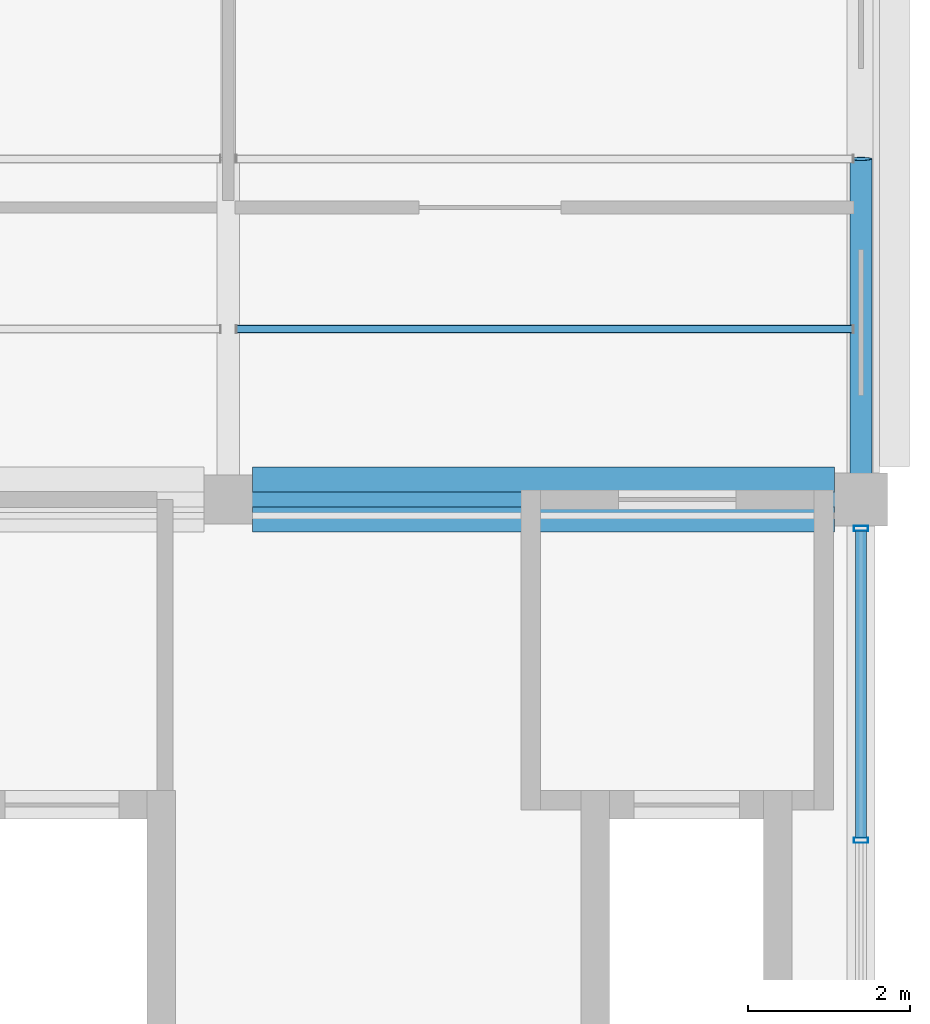
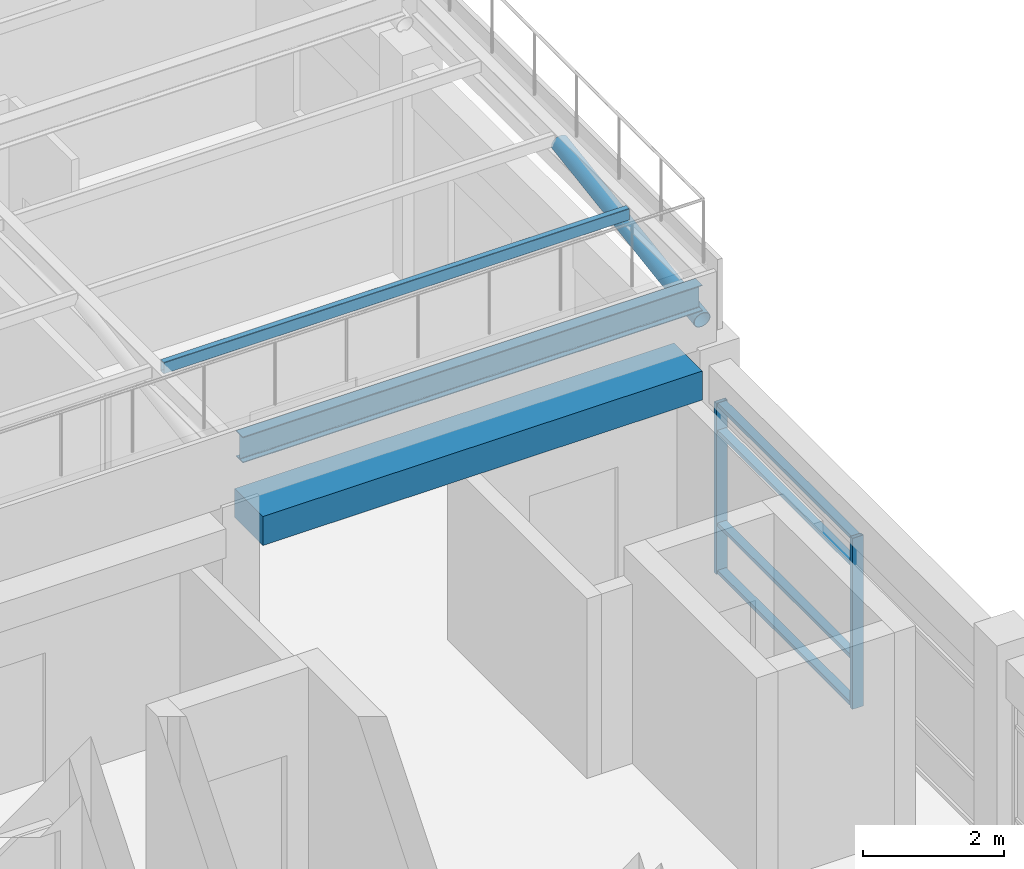
# One storey, part 3 of 20: 8 members, 2 beams, 1 element without a shape of its own.
"""IFC4 building model written with IfcOpenShell, lengths in metres."""

import ifcopenshell
import ifcopenshell.guid

model = None  # the IFC model being written
_history = None  # IfcOwnerHistory: only IFC2X3 demands one
_inside = {}  # id of a spatial element -> (the spatial element, [elements in it])
_under = {}  # id of a project, library or spatial element -> (it, [spatial elements below it])
_declared = {}  # id of a project -> (the project, [libraries it declares])
_typed = {}  # id of a type object -> (the type object, [elements of that type])
_made_of = {}  # id of a material, layer set ... -> (it, [elements and type objects made of it])


def new_model(schema):
    """Start an empty IFC model of exactly this schema.

    Asked for "IFC4X3", IfcOpenShell would pick the latest addendum, in which some entities
    have other attributes; the version numbers below select the first issue.
    IFC2X3 requires an IfcOwnerHistory on every rooted entity: one is made here for all.
    """
    global model, _history
    if schema == "IFC4X3":
        model = ifcopenshell.file(schema_version=(4, 3, 0, 0))
    else:
        model = ifcopenshell.file(schema=schema)
    _inside.clear()
    _under.clear()
    _declared.clear()
    _typed.clear()
    _made_of.clear()
    _history = None
    if model.schema == "IFC2X3":
        org = make("IfcOrganization", Name="unknown")
        user = make(
            "IfcPersonAndOrganization",
            ThePerson=make("IfcPerson", FamilyName="unknown"),
            TheOrganization=org,
        )
        app = make(
            "IfcApplication",
            ApplicationDeveloper=org,
            Version="unknown",
            ApplicationFullName="unknown",
            ApplicationIdentifier="unknown",
        )
        _history = make(
            "IfcOwnerHistory",
            OwningUser=user,
            OwningApplication=app,
            ChangeAction="ADDED",
            CreationDate=0,
        )
    return model


def make(cls, **values):
    """One entity of the class cls with the attributes given. An attribute that is None is left unset."""
    return model.create_entity(
        cls, **{name: value for name, value in values.items() if value is not None}
    )


def rooted(cls, **values):
    """An entity with a GlobalId (a new one), such as an element, a storey or a relation."""
    return make(cls, GlobalId=ifcopenshell.guid.new(), OwnerHistory=_history, **values)


def si_unit(unit_type, name, prefix=None):
    """IfcSIUnit, for example si_unit("LENGTHUNIT", "METRE", prefix="MILLI")."""
    return make("IfcSIUnit", UnitType=unit_type, Prefix=prefix, Name=name)


def assignment(units):
    """IfcUnitAssignment: the units of a project."""
    return None if units is None else make("IfcUnitAssignment", Units=units)


def point(xyz):
    """IfcCartesianPoint."""
    return None if xyz is None else make("IfcCartesianPoint", Coordinates=xyz)


def direction(xyz):
    """IfcDirection."""
    return None if xyz is None else make("IfcDirection", DirectionRatios=xyz)


def frame(location, z_axis=None, x_axis=None):
    """IfcAxis2Placement3D, a coordinate frame: its origin and axes. An axis left out is left unset."""
    return make(
        "IfcAxis2Placement3D",
        Location=point(location),
        Axis=direction(z_axis),
        RefDirection=direction(x_axis),
    )


def frame_2d(location, x_axis=None):
    """IfcAxis2Placement2D, a coordinate frame in the plane: its origin and x axis."""
    return make(
        "IfcAxis2Placement2D", Location=point(location), RefDirection=direction(x_axis)
    )


def origin():
    """The frame at (0, 0, 0) with its axes left unset."""
    return frame((0.0, 0.0, 0.0))


def origin_2d():
    """The frame at (0, 0) in the plane with its x axis left unset."""
    return frame_2d((0.0, 0.0))


def place(relative_to, where):
    """IfcLocalPlacement: puts the frame where relative to a parent placement (None: the world)."""
    return make(
        "IfcLocalPlacement", PlacementRelTo=relative_to, RelativePlacement=where
    )


def context(
    kind, dimensions, precision=None, world=None, true_north=None, identifier=None
):
    """IfcGeometricRepresentationContext, for example the 3D "Model" context."""
    return make(
        "IfcGeometricRepresentationContext",
        ContextIdentifier=identifier,
        ContextType=kind,
        CoordinateSpaceDimension=dimensions,
        Precision=precision,
        WorldCoordinateSystem=world,
        TrueNorth=true_north,
    )


def subcontext(parent, identifier, kind, view, scale=None):
    """IfcGeometricRepresentationSubContext, for example "Body" below "Model"."""
    return make(
        "IfcGeometricRepresentationSubContext",
        ContextIdentifier=identifier,
        ContextType=kind,
        ParentContext=parent,
        TargetScale=scale,
        TargetView=view,
    )


def project(units=None, contexts=None):
    """IfcProject with its units and contexts."""
    return rooted(
        "IfcProject",
        Name="project",
        RepresentationContexts=contexts,
        UnitsInContext=assignment(units),
    )


def spatial(cls, under=None, at=None, **own):
    """A site, building, storey or space (cls), placed at a placement, below another one or the project."""
    s = rooted(cls, ObjectPlacement=at, **own)
    if under is not None:
        _under.setdefault(under.id(), (under, []))[1].append(s)
    return s


def profile(cls, at=None, kind="AREA", **sizes):
    """A parametric profile (cls). Its sizes go by their IFC names, for example OverallWidth=200.0."""
    return make(cls, ProfileType=kind, Position=at, **sizes)


def rectangle(**sizes):
    """IfcRectangleProfileDef."""
    return profile("IfcRectangleProfileDef", **sizes)


def hollow_rectangle(**sizes):
    """IfcRectangleHollowProfileDef."""
    return profile("IfcRectangleHollowProfileDef", **sizes)


def hollow_circle(**sizes):
    """IfcCircleHollowProfileDef."""
    return profile("IfcCircleHollowProfileDef", **sizes)


def i_section(**sizes):
    """IfcIShapeProfileDef."""
    return profile("IfcIShapeProfileDef", **sizes)


def extrude(swept, where, along, depth):
    """IfcExtrudedAreaSolid: the profile swept, set in the frame where, extruded along a direction by depth."""
    return make(
        "IfcExtrudedAreaSolid",
        SweptArea=swept,
        Position=where,
        ExtrudedDirection=direction(along),
        Depth=depth,
    )


def shape(context_of_items, identifier, shape_type, items):
    """IfcShapeRepresentation: the items that make up one representation, for example the "Body"."""
    return make(
        "IfcShapeRepresentation",
        ContextOfItems=context_of_items,
        RepresentationIdentifier=identifier,
        RepresentationType=shape_type,
        Items=items,
    )


def material(Name=None, Category=None):
    """IfcMaterial."""
    return make("IfcMaterial", Name=Name, Category=Category)


def material_profile(
    of_material, cross_section, Name=None, Category=None, Priority=None
):
    """IfcMaterialProfile: a cross section and its material."""
    return make(
        "IfcMaterialProfile",
        Name=Name,
        Material=of_material,
        Profile=cross_section,
        Priority=Priority,
        Category=Category,
    )


def profile_set(profiles, Name=None, composite=None):
    """IfcMaterialProfileSet."""
    return make(
        "IfcMaterialProfileSet",
        Name=Name,
        MaterialProfiles=profiles,
        CompositeProfile=composite,
    )


def made_of(thing, what):
    """Note that an element or type object is made of a material, layer set ...; save() writes the relation."""
    if what is not None:
        _made_of.setdefault(what.id(), (what, []))[1].append(thing)
    return thing


def type_object(cls, material=None, **own):
    """A type object (cls), such as IfcWallType, which elements share."""
    return made_of(rooted(cls, **own), material)


def element(
    cls,
    number,
    at=None,
    inside=None,
    cuts=None,
    type_object=None,
    material=None,
    context=None,
    identifier="Body",
    shape_type=None,
    held_by="IfcProductDefinitionShape",
    body=None,
    shapes=None,
    **own,
):
    """One element of the class cls, such as IfcWall. Its Tag is "e" and its number.

    at: its placement. inside: the storey or other place that contains it. cuts: it is an
    opening in that element (IfcRelVoidsElement). A single representation is given by context,
    identifier, shape_type and body (its items); several are given by shapes. held_by: the class
    of the entity that holds the representations. save() writes the other relations.
    """
    e = rooted(cls, Tag="e%d" % number, ObjectPlacement=at, **own)
    if body is not None:
        shapes = [shape(context, identifier, shape_type, body)]
    if shapes is not None:
        e.Representation = make(held_by, Representations=shapes)
    if inside is not None:
        _inside.setdefault(inside.id(), (inside, []))[1].append(e)
    if cuts is not None:
        rooted(
            "IfcRelVoidsElement", RelatingBuildingElement=cuts, RelatedOpeningElement=e
        )
    if type_object is not None:
        _typed.setdefault(type_object.id(), (type_object, []))[1].append(e)
    return made_of(e, material)


def aggregate(whole, parts):
    """IfcRelAggregates: a whole, such as a stair, and the parts it consists of."""
    return rooted("IfcRelAggregates", RelatingObject=whole, RelatedObjects=parts)


def save(model, path):
    """Write the relations noted so far, then the file.

    IfcRelAggregates (storeys below a building ...), IfcRelContainedInSpatialStructure (elements
    in a storey), IfcRelDefinesByType, IfcRelAssociatesMaterial and IfcRelDeclares: one each for
    every whole, place, type object, material and project.
    """
    for whole, parts in _under.values():
        aggregate(whole, parts)
    for where, things in _inside.values():
        rooted(
            "IfcRelContainedInSpatialStructure",
            RelatedElements=things,
            RelatingStructure=where,
        )
    for kind, things in _typed.values():
        rooted("IfcRelDefinesByType", RelatedObjects=things, RelatingType=kind)
    for what, things in _made_of.values():
        rooted("IfcRelAssociatesMaterial", RelatedObjects=things, RelatingMaterial=what)
    for by, libraries in _declared.values():
        rooted("IfcRelDeclares", RelatingContext=by, RelatedDefinitions=libraries)
    model.write(path)


model = new_model("IFC4")

# Units and contexts
model_context = context("Model", 3, precision=1e-05, world=origin(), true_north=direction((0.0, 1.0)))
body_context = subcontext(model_context, "Body", "Model", "MODEL_VIEW")
ifc_project = project(units=[si_unit("LENGTHUNIT", "METRE"), si_unit("AREAUNIT", "SQUARE_METRE"), si_unit("VOLUMEUNIT", "CUBIC_METRE"), si_unit("PLANEANGLEUNIT", "RADIAN"), si_unit("MASSUNIT", "GRAM", prefix="KILO"), si_unit("THERMODYNAMICTEMPERATUREUNIT", "KELVIN"), si_unit("POWERUNIT", "WATT")], contexts=[model_context])

# Site, building, storey
site_placement = place(None, origin())
site = spatial("IfcSite", under=ifc_project, at=site_placement, CompositionType="ELEMENT")
building_placement = place(site_placement, origin())
building = spatial("IfcBuilding", under=site, at=building_placement, Name="Srebrne Nadtorze General Hospital", CompositionType="ELEMENT")
storey_placement = place(building_placement, frame((0.0, 0.0, 33.89990234375)))
storey = spatial("IfcBuildingStorey", under=building, at=storey_placement, Name="L08", CompositionType="ELEMENT", Elevation=33.89990234375)

# Curtain wall, members
ifc_material_1 = material(Name="Anodised Aluminium", Category="aluminium")
curtain_wall_type = type_object("IfcCurtainWallType", Name="Unitised curtain wall 7750x2950", PredefinedType="NOTDEFINED", material=ifc_material_1)
curtain_wall_placement = place(storey_placement, origin())
curtain_wall = element("IfcCurtainWall", 1, at=curtain_wall_placement, inside=storey, type_object=curtain_wall_type, Name="Curtain wall CW-159", PredefinedType="NOTDEFINED")
ifc_material_2 = material(Name="Anodised Aluminium", Category="aluminium")
ifc_material_profile_1 = material_profile(ifc_material_2, hollow_rectangle(XDim=0.06494140625, YDim=0.179931640625, WallThickness=0.00390625, at=origin_2d()), Name="AL-MUL-65x180")
ifc_profile_set_1 = profile_set([ifc_material_profile_1], Name="Anodised Aluminium")
member_type_1 = type_object("IfcMemberType", Name="Curtain mullion 65x180", PredefinedType="MULLION", material=ifc_profile_set_1)
member_1_placement = place(storey_placement, frame((54.60009765625, 46.199951171875, 0.0), z_axis=(0.0, 0.0, 1.0), x_axis=(0.0, 1.0, 0.0)))
member_1 = element("IfcMember", 2, at=member_1_placement, type_object=member_type_1, Name="CW-159 mullion 2", PredefinedType="MULLION", context=body_context, shape_type="SweptSolid", body=[
    extrude(hollow_rectangle(XDim=0.06494140625, YDim=0.179931640625, WallThickness=0.00390625, at=origin_2d()), origin(), (0.0, 0.0, 1.0), 2.9501953125),
])
member_2_placement = place(storey_placement, frame((54.60009765625, 50.04248046875, 0.0), z_axis=(0.0, 0.0, 1.0), x_axis=(0.0, 1.0, 0.0)))
member_2 = element("IfcMember", 3, at=member_2_placement, type_object=member_type_1, Name="CW-159 mullion 3", PredefinedType="MULLION", context=body_context, shape_type="SweptSolid", body=[
    extrude(hollow_rectangle(XDim=0.06494140625, YDim=0.179931640625, WallThickness=0.00390625, at=origin_2d()), origin(), (0.0, 0.0, 1.0), 2.9501953125),
])
ifc_material_3 = material(Name="Anodised Aluminium", Category="aluminium")
ifc_material_profile_2 = material_profile(ifc_material_3, hollow_rectangle(XDim=0.06494140625, YDim=0.139892578125, WallThickness=0.00390625, at=origin_2d()), Name="AL-TRN-65x140")
ifc_profile_set_2 = profile_set([ifc_material_profile_2], Name="Anodised Aluminium")
member_type_2 = type_object("IfcMemberType", Name="Curtain transom 65x140", PredefinedType="USERDEFINED", material=ifc_profile_set_2)
member_3_placement = place(storey_placement, frame((54.60009765625, 46.232421875, 0.03271484375), z_axis=(0.0, 1.0, 0.0), x_axis=(0.0, 0.0, 1.0)))
member_3 = element("IfcMember", 4, at=member_3_placement, type_object=member_type_2, Name="CW-159 transom 2.1", ObjectType="TRANSOM", PredefinedType="USERDEFINED", context=body_context, shape_type="SweptSolid", body=[
    extrude(hollow_rectangle(XDim=0.06494140625, YDim=0.139892578125, WallThickness=0.00390625, at=origin_2d()), origin(), (0.0, 0.0, 1.0), 3.777587890625),
])
member_4_placement = place(storey_placement, frame((54.60009765625, 46.232421875, 0.85009765625), z_axis=(0.0, 1.0, 0.0), x_axis=(0.0, 0.0, 1.0)))
member_4 = element("IfcMember", 5, at=member_4_placement, type_object=member_type_2, Name="CW-159 transom 2.2", ObjectType="TRANSOM", PredefinedType="USERDEFINED", context=body_context, shape_type="SweptSolid", body=[
    extrude(hollow_rectangle(XDim=0.06494140625, YDim=0.139892578125, WallThickness=0.00390625, at=origin_2d()), origin(), (0.0, 0.0, 1.0), 3.777587890625),
])
member_5_placement = place(storey_placement, frame((54.60009765625, 46.232421875, 2.4501953125), z_axis=(0.0, 1.0, 0.0), x_axis=(0.0, 0.0, 1.0)))
member_5 = element("IfcMember", 6, at=member_5_placement, type_object=member_type_2, Name="CW-159 transom 2.3", ObjectType="TRANSOM", PredefinedType="USERDEFINED", context=body_context, shape_type="SweptSolid", body=[
    extrude(hollow_rectangle(XDim=0.06494140625, YDim=0.139892578125, WallThickness=0.00390625, at=origin_2d()), origin(), (0.0, 0.0, 1.0), 3.777587890625),
])
member_6_placement = place(storey_placement, frame((54.60009765625, 46.232421875, 2.91748046875), z_axis=(0.0, 1.0, 0.0), x_axis=(0.0, 0.0, 1.0)))
member_6 = element("IfcMember", 7, at=member_6_placement, type_object=member_type_2, Name="CW-159 transom 2.4", ObjectType="TRANSOM", PredefinedType="USERDEFINED", context=body_context, shape_type="SweptSolid", body=[
    extrude(hollow_rectangle(XDim=0.06494140625, YDim=0.139892578125, WallThickness=0.00390625, at=origin_2d()), origin(), (0.0, 0.0, 1.0), 3.777587890625),
])
aggregate(curtain_wall, [member_1, member_2, member_3, member_4, member_5, member_6])

# Beam
ifc_material_4 = material(Name="Steel S355J2", Category="steel")
ifc_material_profile_3 = material_profile(ifc_material_4, i_section(OverallWidth=0.18994140625, OverallDepth=0.449951171875, WebThickness=0.009521484375, FlangeThickness=0.0146484375, FilletRadius=0.02099609375, at=origin_2d()), Name="IPE-450")
ifc_profile_set_3 = profile_set([ifc_material_profile_3], Name="Steel S355J2")
beam_type_1 = type_object("IfcBeamType", Name="Helipad beam IPE 450", PredefinedType="BEAM", material=ifc_profile_set_3)
beam_1_placement = place(storey_placement, frame((46.949951171875, 50.39990234375, 4.614990234375), z_axis=(1.0, 0.0, 0.0), x_axis=(0.0, 1.0, 0.0)))
element("IfcBeam", 8, at=beam_1_placement, inside=storey, type_object=beam_type_1, Name="Helipad girder X 3", PredefinedType="BEAM", context=body_context, shape_type="SweptSolid", body=[
    extrude(i_section(OverallWidth=0.18994140625, OverallDepth=0.449951171875, WebThickness=0.009521484375, FlangeThickness=0.0146484375, FilletRadius=0.02099609375, at=origin_2d()), origin(), (0.0, 0.0, 1.0), 7.5),
])

# Member
ifc_material_5 = material(Name="Steel S355J2", Category="steel")
ifc_material_profile_4 = material_profile(ifc_material_5, hollow_circle(Radius=0.136474609375, WallThickness=0.010009765625, at=origin_2d()), Name="CHS-273x10")
ifc_profile_set_4 = profile_set([ifc_material_profile_4], Name="Steel S355J2")
member_type_3 = type_object("IfcMemberType", Name="Outrigger strut CHS 273x10", PredefinedType="STRUT", material=ifc_profile_set_4)
member_7_placement = place(storey_placement, frame((54.60009765625, 50.574951171875, 4.02001953125), z_axis=(0.0, 0.988339796806, 0.152264395214), x_axis=(-1.0, 0.0, 0.0)))
element("IfcMember", 9, at=member_7_placement, inside=storey, type_object=member_type_3, Name="Helipad support strut 26", PredefinedType="STRUT", context=body_context, shape_type="SweptSolid", body=[
    extrude(hollow_circle(Radius=0.136474609375, WallThickness=0.010009765625, at=origin_2d()), origin(), (0.0, 0.0, 1.0), 4.07275390625),
])

# Beam
ifc_material_6 = material(Name="Concrete C40/50", Category="concrete")
ifc_material_profile_5 = material_profile(ifc_material_6, rectangle(XDim=0.800048828125, YDim=0.5, at=origin_2d()), Name="RC-BM-800x500")
ifc_profile_set_5 = profile_set([ifc_material_profile_5], Name="Concrete C40/50")
beam_type_2 = type_object("IfcBeamType", Name="Primary beam RC 800x500", PredefinedType="BEAM", material=ifc_profile_set_5)
beam_2_placement = place(storey_placement, frame((47.10009765625, 50.39990234375, 3.35009765625), z_axis=(1.0, 0.0, 0.0), x_axis=(0.0, 1.0, 0.0)))
element("IfcBeam", 10, at=beam_2_placement, inside=storey, type_object=beam_type_2, Name="Beam BM-L08-X-1343", PredefinedType="BEAM", context=body_context, shape_type="SweptSolid", body=[
    extrude(rectangle(XDim=0.800048828125, YDim=0.5, at=origin_2d()), origin(), (0.0, 0.0, 1.0), 7.1748046875),
])

# Member
ifc_material_7 = material(Name="Steel S355J2", Category="steel")
ifc_material_profile_6 = material_profile(ifc_material_7, hollow_rectangle(XDim=0.10009765625, YDim=0.199951171875, WallThickness=0.008056640625, InnerFilletRadius=0.008056640625, OuterFilletRadius=0.011962890625, at=origin_2d()), Name="RHS-200x100x8")
ifc_profile_set_6 = profile_set([ifc_material_profile_6], Name="Steel S355J2")
member_type_4 = type_object("IfcMemberType", Name="Secondary purlin RHS 200x100x8", PredefinedType="PURLIN", material=ifc_profile_set_6)
member_8_placement = place(storey_placement, frame((46.902099609375, 52.5, 4.739990234375), z_axis=(1.0, 0.0, 0.0), x_axis=(0.0, 1.0, 0.0)))
element("IfcMember", 11, at=member_8_placement, inside=storey, type_object=member_type_4, Name="Helipad deck purlin 19", PredefinedType="PURLIN", context=body_context, shape_type="SweptSolid", body=[
    extrude(hollow_rectangle(XDim=0.10009765625, YDim=0.199951171875, WallThickness=0.008056640625, InnerFilletRadius=0.008056640625, OuterFilletRadius=0.011962890625, at=origin_2d()), origin(), (0.0, 0.0, 1.0), 7.595947265625),
])

save(model, "model.ifc")
